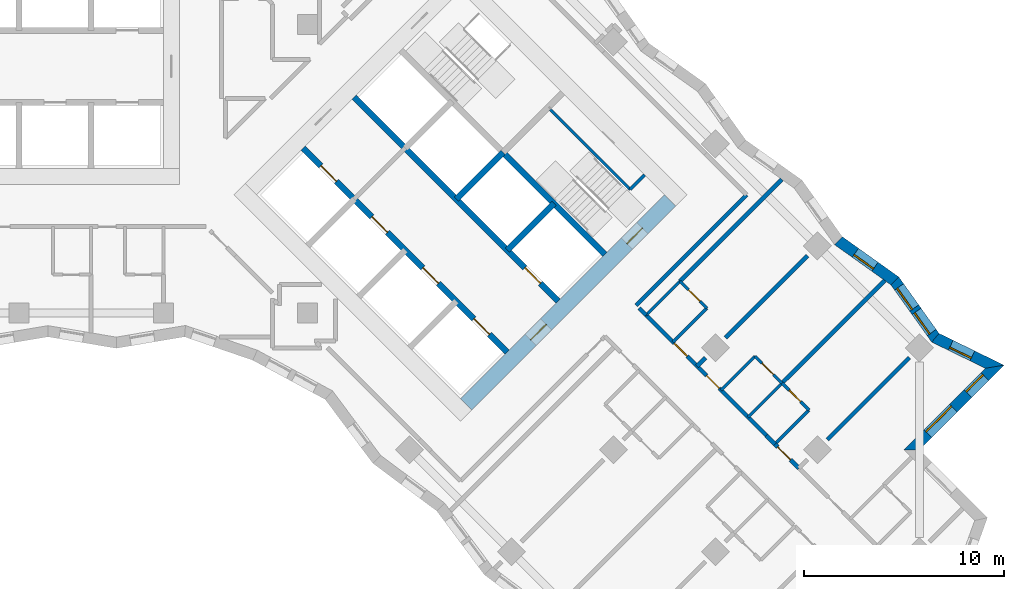
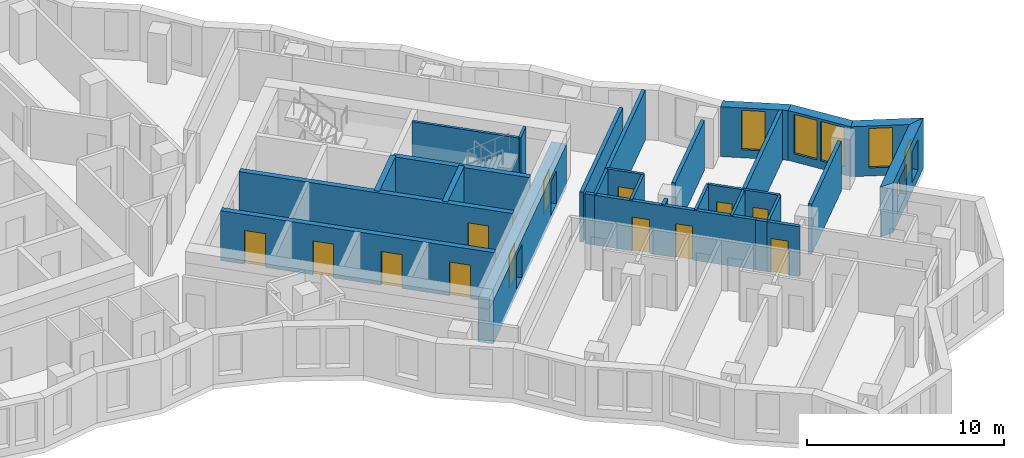
# One storey, part 10 of 13: 30 walls, 13 doors, 6 windows, 19 openings.
"""IFC4 building model written with IfcOpenShell, lengths in metres."""

from ifc_helpers import new_model, si_unit, direction, frame, frame_2d, origin, place, context, subcontext, project, spatial, polyline, rectangle, outline, extrude, material, layer, layer_set, type_object, element, fill, save


model = new_model("IFC4")

# Units and contexts
model_context = context("Model", 3, precision=1e-05, world=origin(), true_north=direction((0.0, 1.0)))
body_context = subcontext(model_context, "Body", "Model", "MODEL_VIEW")
ifc_project = project(units=[si_unit("LENGTHUNIT", "METRE"), si_unit("AREAUNIT", "SQUARE_METRE"), si_unit("VOLUMEUNIT", "CUBIC_METRE"), si_unit("PLANEANGLEUNIT", "RADIAN"), si_unit("MASSUNIT", "GRAM", prefix="KILO")], contexts=[model_context])

# Site, building, storey
site_placement = place(None, origin())
site = spatial("IfcSite", under=ifc_project, at=site_placement, CompositionType="ELEMENT")
building_placement = place(site_placement, origin())
building = spatial("IfcBuilding", under=site, at=building_placement, Name="Windrow Commons", CompositionType="ELEMENT")
storey_placement = place(building_placement, frame((0.0, 0.0, 111.8)))
storey = spatial("IfcBuildingStorey", under=building, at=storey_placement, Name="L30", CompositionType="ELEMENT", Elevation=111.8)

# Wall, openings, windows
ifc_material_1 = material(Name="Brick masonry, red clay brick", Category="masonry")
ifc_layer_1 = layer(ifc_material_1, 0.55)
ifc_layer_set_1 = layer_set([ifc_layer_1], Name="Brick facade wall 550")
wall_type_1 = type_object("IfcWallType", Name="Brick facade wall 550", PredefinedType="SOLIDWALL", material=ifc_layer_set_1)
wall_1_placement = place(storey_placement, frame((109.3581, 36.3618, 0.0), z_axis=(0.0, 0.0, 1.0), x_axis=(0.7071067812, 0.7071067812, 0.0)))
wall_1 = element("IfcWall", 1, at=wall_1_placement, inside=storey, type_object=wall_type_1, Name="Brick facade wall L30 6", PredefinedType="SOLIDWALL", context=body_context, shape_type="SweptSolid", body=[
    extrude(outline(polyline([(0.275, -0.275), (6.247, -0.275), (5.4766, 0.275), (-0.275, 0.275), (0.275, -0.275)])), origin(), (0.0, 0.0, 1.0), 3.1),
])
opening_1_placement = place(wall_1_placement, frame((1.1375, 0.0, 0.6)))
opening_1 = element("IfcOpeningElement", 2, at=opening_1_placement, cuts=wall_1, Name="Opening W1L", PredefinedType="OPENING", context=body_context, shape_type="SweptSolid", body=[
    extrude(rectangle(XDim=1.8, YDim=1.9, at=frame_2d((0.9, 0.95))), frame((0.0, 0.285, 0.0), z_axis=(0.0, -1.0, 0.0), x_axis=(1.0, 0.0, 0.0)), (0.0, 0.0, 1.0), 0.57),
])
opening_2_placement = place(wall_1_placement, frame((3.9758, 0.0, 0.6)))
opening_2 = element("IfcOpeningElement", 3, at=opening_2_placement, cuts=wall_1, Name="Opening W7G", PredefinedType="OPENING", context=body_context, shape_type="SweptSolid", body=[
    extrude(rectangle(XDim=1.2, YDim=1.9, at=frame_2d((0.6, 0.95))), frame((0.0, 0.285, 0.0), z_axis=(0.0, -1.0, 0.0), x_axis=(1.0, 0.0, 0.0)), (0.0, 0.0, 1.0), 0.57),
])
ifc_material_2 = material(Name="Clear float glass in anodised aluminium frame", Category="aluminium")
window_type_1 = type_object("IfcWindowType", Name="Window W1L bedroom 1800x1900", PartitioningType="SINGLE_PANEL", PredefinedType="WINDOW", material=ifc_material_2)
window_1_placement = place(opening_1_placement, origin())
window_1 = element("IfcWindow", 4, at=window_1_placement, inside=storey, type_object=window_type_1, Name="Window L30 6.1", OverallHeight=1.9, OverallWidth=1.8, PartitioningType="SINGLE_PANEL", PredefinedType="WINDOW", context=body_context, shape_type="SweptSolid", body=[
    extrude(rectangle(XDim=1.8, YDim=1.9, at=frame_2d((0.9, 0.95))), frame((0.0, 0.155, 0.0), z_axis=(0.0, -1.0, 0.0), x_axis=(1.0, 0.0, 0.0)), (0.0, 0.0, 1.0), 0.06),
])
fill(opening_1, window_1)
ifc_material_3 = material(Name="Clear float glass in anodised aluminium frame", Category="aluminium")
window_type_2 = type_object("IfcWindowType", Name="Window W7 notch 1200x1900", PartitioningType="SINGLE_PANEL", PredefinedType="WINDOW", material=ifc_material_3)
window_2_placement = place(opening_2_placement, origin())
window_2 = element("IfcWindow", 5, at=window_2_placement, inside=storey, type_object=window_type_2, Name="Window L30 6.2", OverallHeight=1.9, OverallWidth=1.2, PartitioningType="SINGLE_PANEL", PredefinedType="WINDOW", context=body_context, shape_type="SweptSolid", body=[
    extrude(rectangle(XDim=1.2, YDim=1.9, at=frame_2d((0.6, 0.95))), frame((0.0, 0.155, 0.0), z_axis=(0.0, -1.0, 0.0), x_axis=(1.0, 0.0, 0.0)), (0.0, 0.0, 1.0), 0.06),
])
fill(opening_2, window_2)

# Wall, opening, window
wall_2_placement = place(storey_placement, frame((113.503, 40.5067, 0.0), z_axis=(0.0, 0.0, 1.0), x_axis=(-0.8984293541, 0.4391180887, 0.0)))
wall_2 = element("IfcWall", 6, at=wall_2_placement, inside=storey, type_object=wall_type_1, Name="Brick facade wall L30 7", PredefinedType="SOLIDWALL", context=body_context, shape_type="SweptSolid", body=[
    extrude(outline(polyline([(-0.3852, -0.275), (3.2235, -0.275), (3.363, 0.275), (0.3852, 0.275), (-0.3852, -0.275)])), origin(), (0.0, 0.0, 1.0), 3.1),
])
opening_3_placement = place(wall_2_placement, frame((1.2392, 0.0, 0.5)))
opening_3 = element("IfcOpeningElement", 7, at=opening_3_placement, cuts=wall_2, Name="Opening W7D", PredefinedType="OPENING", context=body_context, shape_type="SweptSolid", body=[
    extrude(rectangle(XDim=1.2, YDim=2.45, at=frame_2d((0.6, 1.225))), frame((0.0, 0.285, 0.0), z_axis=(0.0, -1.0, 0.0), x_axis=(1.0, 0.0, 0.0)), (0.0, 0.0, 1.0), 0.57),
])
ifc_material_4 = material(Name="Clear float glass in anodised aluminium frame", Category="aluminium")
window_type_3 = type_object("IfcWindowType", Name="Window W7 notch 1200x2450", PartitioningType="SINGLE_PANEL", PredefinedType="WINDOW", material=ifc_material_4)
window_3_placement = place(opening_3_placement, origin())
window_3 = element("IfcWindow", 8, at=window_3_placement, inside=storey, type_object=window_type_3, Name="Window L30 7.1", OverallHeight=2.45, OverallWidth=1.2, PartitioningType="SINGLE_PANEL", PredefinedType="WINDOW", context=body_context, shape_type="SweptSolid", body=[
    extrude(rectangle(XDim=1.2, YDim=2.45, at=frame_2d((0.6, 1.225))), frame((0.0, 0.155, 0.0), z_axis=(0.0, -1.0, 0.0), x_axis=(1.0, 0.0, 0.0)), (0.0, 0.0, 1.0), 0.06),
])
fill(opening_3, window_3)

# Wall, openings, windows
wall_3_placement = place(storey_placement, frame((110.5443, 41.9528, 0.0), z_axis=(0.0, 0.0, 1.0), x_axis=(-0.5805022438, 0.8142586474, 0.0)))
wall_3 = element("IfcWall", 9, at=wall_3_placement, inside=storey, type_object=wall_type_1, Name="Brick facade wall L30 8", PredefinedType="SOLIDWALL", context=body_context, shape_type="SweptSolid", body=[
    extrude(outline(polyline([(0.0698, -0.275), (3.5304, -0.275), (3.4382, 0.275), (-0.0698, 0.275), (0.0698, -0.275)])), origin(), (0.0, 0.0, 1.0), 3.1),
])
opening_4_placement = place(wall_3_placement, frame((0.3191, 0.0, 0.5)))
opening_4 = element("IfcOpeningElement", 10, at=opening_4_placement, cuts=wall_3, Name="Opening W1P", PredefinedType="OPENING", context=body_context, shape_type="SweptSolid", body=[
    extrude(rectangle(XDim=1.3, YDim=2.45, at=frame_2d((0.65, 1.225))), frame((0.0, 0.285, 0.0), z_axis=(0.0, -1.0, 0.0), x_axis=(1.0, 0.0, 0.0)), (0.0, 0.0, 1.0), 0.57),
])
opening_5_placement = place(wall_3_placement, frame((1.8191, 0.0, 0.5)))
opening_5 = element("IfcOpeningElement", 11, at=opening_5_placement, cuts=wall_3, Name="Opening W1P", PredefinedType="OPENING", context=body_context, shape_type="SweptSolid", body=[
    extrude(rectangle(XDim=1.3, YDim=2.45, at=frame_2d((0.65, 1.225))), frame((0.0, 0.285, 0.0), z_axis=(0.0, -1.0, 0.0), x_axis=(1.0, 0.0, 0.0)), (0.0, 0.0, 1.0), 0.57),
])
ifc_material_5 = material(Name="Clear float glass in anodised aluminium frame", Category="aluminium")
window_type_4 = type_object("IfcWindowType", Name="Window W1P pair 1300x2450", PartitioningType="SINGLE_PANEL", PredefinedType="WINDOW", material=ifc_material_5)
window_4_placement = place(opening_4_placement, origin())
window_4 = element("IfcWindow", 12, at=window_4_placement, inside=storey, type_object=window_type_4, Name="Window L30 8.1A", OverallHeight=2.45, OverallWidth=1.3, PartitioningType="SINGLE_PANEL", PredefinedType="WINDOW", context=body_context, shape_type="SweptSolid", body=[
    extrude(rectangle(XDim=1.3, YDim=2.45, at=frame_2d((0.65, 1.225))), frame((0.0, 0.155, 0.0), z_axis=(0.0, -1.0, 0.0), x_axis=(1.0, 0.0, 0.0)), (0.0, 0.0, 1.0), 0.06),
])
fill(opening_4, window_4)
window_5_placement = place(opening_5_placement, origin())
window_5 = element("IfcWindow", 13, at=window_5_placement, inside=storey, type_object=window_type_4, Name="Window L30 8.1B", OverallHeight=2.45, OverallWidth=1.3, PartitioningType="SINGLE_PANEL", PredefinedType="WINDOW", context=body_context, shape_type="SweptSolid", body=[
    extrude(rectangle(XDim=1.3, YDim=2.45, at=frame_2d((0.65, 1.225))), frame((0.0, 0.155, 0.0), z_axis=(0.0, -1.0, 0.0), x_axis=(1.0, 0.0, 0.0)), (0.0, 0.0, 1.0), 0.06),
])
fill(opening_5, window_5)

# Wall, opening, window
wall_4_placement = place(storey_placement, frame((108.5216, 44.79, 0.0), z_axis=(0.0, 0.0, 1.0), x_axis=(-0.8142544581, 0.5805081201, 0.0)))
wall_4 = element("IfcWall", 14, at=wall_4_placement, inside=storey, type_object=wall_type_1, Name="Brick facade wall L30 9", PredefinedType="SOLIDWALL", context=body_context, shape_type="SweptSolid", body=[
    extrude(outline(polyline([(-0.0461, -0.275), (3.4145, -0.275), (3.5067, 0.275), (0.0461, 0.275), (-0.0461, -0.275)])), origin(), (0.0, 0.0, 1.0), 3.1),
])
opening_6_placement = place(wall_4_placement, frame((1.2199, 0.0, 0.5)))
opening_6 = element("IfcOpeningElement", 15, at=opening_6_placement, cuts=wall_4, Name="Opening W7D", PredefinedType="OPENING", context=body_context, shape_type="SweptSolid", body=[
    extrude(rectangle(XDim=1.2, YDim=2.45, at=frame_2d((0.6, 1.225))), frame((0.0, 0.285, 0.0), z_axis=(0.0, -1.0, 0.0), x_axis=(1.0, 0.0, 0.0)), (0.0, 0.0, 1.0), 0.57),
])
window_6_placement = place(opening_6_placement, origin())
window_6 = element("IfcWindow", 16, at=window_6_placement, inside=storey, type_object=window_type_3, Name="Window L30 9.1", OverallHeight=2.45, OverallWidth=1.2, PartitioningType="SINGLE_PANEL", PredefinedType="WINDOW", context=body_context, shape_type="SweptSolid", body=[
    extrude(rectangle(XDim=1.2, YDim=2.45, at=frame_2d((0.6, 1.225))), frame((0.0, 0.155, 0.0), z_axis=(0.0, -1.0, 0.0), x_axis=(1.0, 0.0, 0.0)), (0.0, 0.0, 1.0), 0.06),
])
fill(opening_6, window_6)

# Wall, openings, doors
ifc_material_6 = material(Name="Blockwork partition", Category="masonry")
ifc_layer_2 = layer(ifc_material_6, 0.2)
ifc_layer_set_2 = layer_set([ifc_layer_2], Name="IW-CORRIDOR-200")
wall_type_2 = type_object("IfcWallType", Name="IW-CORRIDOR-200", PredefinedType="PARTITIONING", material=ifc_layer_set_2)
wall_5_placement = place(storey_placement, frame((96.1034, 43.0834, 0.0), z_axis=(0.0, 0.0, 1.0), x_axis=(0.7071067812, -0.7071067812, 0.0)))
wall_5 = element("IfcWall", 17, at=wall_5_placement, inside=storey, type_object=wall_type_2, Name="W-L30-W015", PredefinedType="PARTITIONING", context=body_context, shape_type="SweptSolid", body=[
    extrude(rectangle(XDim=8.4909, YDim=0.2, at=frame_2d((4.2454, 0.0))), origin(), (0.0, 0.0, 1.0), 3.1),
])
opening_7_placement = place(wall_5_placement, frame((1.9952, 0.0, 0.0)))
opening_7 = element("IfcOpeningElement", 18, at=opening_7_placement, cuts=wall_5, Name="Opening D109S", PredefinedType="OPENING", context=body_context, shape_type="SweptSolid", body=[
    extrude(rectangle(XDim=0.9, YDim=2.1, at=frame_2d((0.45, 1.05))), frame((0.0, 0.11, 0.0), z_axis=(0.0, -1.0, 0.0), x_axis=(1.0, 0.0, 0.0)), (0.0, 0.0, 1.0), 0.22),
])
opening_8_placement = place(wall_5_placement, frame((4.2704, 0.0, 0.0)))
opening_8 = element("IfcOpeningElement", 19, at=opening_8_placement, cuts=wall_5, Name="Opening D109S", PredefinedType="OPENING", context=body_context, shape_type="SweptSolid", body=[
    extrude(rectangle(XDim=0.9, YDim=2.1, at=frame_2d((0.45, 1.05))), frame((0.0, 0.11, 0.0), z_axis=(0.0, -1.0, 0.0), x_axis=(1.0, 0.0, 0.0)), (0.0, 0.0, 1.0), 0.22),
])
ifc_material_7 = material(Name="Timber door leaf", Category="wood")
door_type_1 = type_object("IfcDoorType", Name="DT-BEDROOM-900", OperationType="SINGLE_SWING_LEFT", PredefinedType="DOOR", material=ifc_material_7)
door_1_placement = place(opening_7_placement, origin())
door_1 = element("IfcDoor", 20, at=door_1_placement, inside=storey, type_object=door_type_1, Name="D-L30-D048", OperationType="SINGLE_SWING_RIGHT", OverallHeight=2.1, OverallWidth=0.9, PredefinedType="DOOR", context=body_context, shape_type="SweptSolid", body=[
    extrude(rectangle(XDim=0.9, YDim=2.1, at=frame_2d((0.45, 1.05))), frame((0.0, 0.025, 0.0), z_axis=(0.0, -1.0, 0.0), x_axis=(1.0, 0.0, 0.0)), (0.0, 0.0, 1.0), 0.05),
])
fill(opening_7, door_1)
door_2_placement = place(opening_8_placement, origin())
door_2 = element("IfcDoor", 21, at=door_2_placement, inside=storey, type_object=door_type_1, Name="D-L30-D050", OperationType="SINGLE_SWING_LEFT", OverallHeight=2.1, OverallWidth=0.9, PredefinedType="DOOR", context=body_context, shape_type="SweptSolid", body=[
    extrude(rectangle(XDim=0.9, YDim=2.1, at=frame_2d((0.45, 1.05))), frame((0.0, 0.025, 0.0), z_axis=(0.0, -1.0, 0.0), x_axis=(1.0, 0.0, 0.0)), (0.0, 0.0, 1.0), 0.05),
])
fill(opening_8, door_2)

# Wall
wall_6_placement = place(storey_placement, frame((95.6055, 43.5765, 0.0), z_axis=(0.0, 0.0, 1.0), x_axis=(0.7071067812, 0.7071067812, 0.0)))
element("IfcWall", 22, at=wall_6_placement, inside=storey, type_object=wall_type_2, Name="W-L30-W017", PredefinedType="PARTITIONING", context=body_context, shape_type="SweptSolid", body=[
    extrude(rectangle(XDim=7.798, YDim=0.2, at=frame_2d((3.899, 0.0))), origin(), (0.0, 0.0, 1.0), 3.1),
])

# Wall, opening, door
wall_7_placement = place(storey_placement, frame((102.5314, 36.6414, 0.0), z_axis=(0.0, 0.0, 1.0), x_axis=(0.7071067812, -0.7071067812, 0.0)))
wall_7 = element("IfcWall", 23, at=wall_7_placement, inside=storey, type_object=wall_type_2, Name="W-L30-W159", PredefinedType="PARTITIONING", context=body_context, shape_type="SweptSolid", body=[
    extrude(rectangle(XDim=1.6999, YDim=0.2, at=frame_2d((0.8499, 0.0))), origin(), (0.0, 0.0, 1.0), 3.1),
])
opening_9_placement = place(wall_7_placement, frame((0.1977, 0.0, 0.0)))
opening_9 = element("IfcOpeningElement", 24, at=opening_9_placement, cuts=wall_7, Name="Opening D109S", PredefinedType="OPENING", context=body_context, shape_type="SweptSolid", body=[
    extrude(rectangle(XDim=0.9, YDim=2.1, at=frame_2d((0.45, 1.05))), frame((0.0, 0.11, 0.0), z_axis=(0.0, -1.0, 0.0), x_axis=(1.0, 0.0, 0.0)), (0.0, 0.0, 1.0), 0.22),
])
door_3_placement = place(opening_9_placement, origin())
door_3 = element("IfcDoor", 25, at=door_3_placement, inside=storey, type_object=door_type_1, Name="D-L30-D052", OperationType="SINGLE_SWING_RIGHT", OverallHeight=2.1, OverallWidth=0.9, PredefinedType="DOOR", context=body_context, shape_type="SweptSolid", body=[
    extrude(rectangle(XDim=0.9, YDim=2.1, at=frame_2d((0.45, 1.05))), frame((0.0, 0.025, 0.0), z_axis=(0.0, -1.0, 0.0), x_axis=(1.0, 0.0, 0.0)), (0.0, 0.0, 1.0), 0.05),
])
fill(opening_9, door_3)

# Walls
wall_8_placement = place(storey_placement, frame((102.1029, 37.0749, 0.0), z_axis=(0.0, 0.0, 1.0), x_axis=(0.7054642634, -0.7087454925, 0.0)))
element("IfcWall", 26, at=wall_8_placement, inside=storey, type_object=wall_type_2, Name="W-L30-W185", PredefinedType="PARTITIONING", context=body_context, shape_type="SweptSolid", body=[
    extrude(rectangle(XDim=0.6095, YDim=0.2, at=frame_2d((0.3048, 0.0))), origin(), (0.0, 0.0, 1.0), 3.1),
])
wall_9_placement = place(storey_placement, frame((95.747, 43.433, 0.0), z_axis=(0.0, 0.0, 1.0), x_axis=(0.7091070712, -0.7051008166, 0.0)))
element("IfcWall", 27, at=wall_9_placement, inside=storey, type_object=wall_type_2, Name="W-L30-W200", PredefinedType="PARTITIONING", context=body_context, shape_type="SweptSolid", body=[
    extrude(rectangle(XDim=0.4992, YDim=0.2, at=frame_2d((0.2496, 0.0))), origin(), (0.0, 0.0, 1.0), 3.1),
])
ifc_material_8 = material(Name="Blockwork partition", Category="masonry")
ifc_layer_3 = layer(ifc_material_8, 0.15)
ifc_layer_set_3 = layer_set([ifc_layer_3], Name="IW-ENSUITE-150")
wall_type_3 = type_object("IfcWallType", Name="IW-ENSUITE-150", PredefinedType="PARTITIONING", material=ifc_layer_set_3)
wall_10_placement = place(storey_placement, frame((102.5331, 36.6449, 0.0), z_axis=(0.0, 0.0, 1.0), x_axis=(0.7071067812, 0.7071067812, 0.0)))
element("IfcWall", 28, at=wall_10_placement, inside=storey, type_object=wall_type_3, Name="W-L30-W085", PredefinedType="PARTITIONING", context=body_context, shape_type="SweptSolid", body=[
    extrude(rectangle(XDim=2.4013, YDim=0.15, at=frame_2d((1.2006, 0.0))), origin(), (0.0, 0.0, 1.0), 3.1),
])
wall_11_placement = place(storey_placement, frame((101.192, 37.988, 0.0), z_axis=(0.0, 0.0, 1.0), x_axis=(0.706689978, 0.7075233388, 0.0)))
element("IfcWall", 29, at=wall_11_placement, inside=storey, type_object=wall_type_3, Name="W-L30-W113", PredefinedType="PARTITIONING", context=body_context, shape_type="SweptSolid", body=[
    extrude(rectangle(XDim=2.3999, YDim=0.15, at=frame_2d((1.2, 0.0))), origin(), (0.0, 0.0, 1.0), 3.1),
])
for number, where, z_axis, x_axis, name in (
    (30, (97.4429, 41.7371, 0.0), (0.0, 0.0, 1.0), (0.7071067812, 0.7071067812, 0.0), "W-L30-W119"),
    (31, (96.0994, 43.0806, 0.0), (0.0, 0.0, 1.0), (0.7071067812, 0.7071067812, 0.0), "W-L30-W121"),
    (32, (99.8471, 39.3329, 0.0), (0.0, 0.0, 1.0), (0.7071067812, 0.7071067812, 0.0), "W-L30-W124"),
):
    element("IfcWall", number, at=place(storey_placement, frame(where, z_axis=z_axis, x_axis=x_axis)), inside=storey, type_object=wall_type_3, Name=name, PredefinedType="PARTITIONING", context=body_context, shape_type="SweptSolid", body=[
        extrude(rectangle(XDim=2.3985, YDim=0.15, at=frame_2d((1.1992, 0.0))), origin(), (0.0, 0.0, 1.0), 3.1),
    ])

# Wall, opening, door
wall_12_placement = place(storey_placement, frame((97.7934, 44.7734, 0.0), z_axis=(0.0, 0.0, 1.0), x_axis=(0.7071067812, -0.7071067812, 0.0)))
wall_12 = element("IfcWall", 33, at=wall_12_placement, inside=storey, type_object=wall_type_3, Name="W-L30-W138", PredefinedType="PARTITIONING", context=body_context, shape_type="SweptSolid", body=[
    extrude(rectangle(XDim=1.9007, YDim=0.15, at=frame_2d((0.9504, 0.0))), origin(), (0.0, 0.0, 1.0), 3.1),
])
opening_10_placement = place(wall_12_placement, frame((0.6091, 0.0, 0.0)))
opening_10 = element("IfcOpeningElement", 34, at=opening_10_placement, cuts=wall_12, Name="Opening D208N", PredefinedType="OPENING", context=body_context, shape_type="SweptSolid", body=[
    extrude(rectangle(XDim=0.8, YDim=2.1, at=frame_2d((0.4, 1.05))), frame((0.0, 0.085, 0.0), z_axis=(0.0, -1.0, 0.0), x_axis=(1.0, 0.0, 0.0)), (0.0, 0.0, 1.0), 0.17),
])
ifc_material_9 = material(Name="Timber door leaf", Category="wood")
door_type_2 = type_object("IfcDoorType", Name="DT-ENSUITE-800", OperationType="SINGLE_SWING_LEFT", PredefinedType="DOOR", material=ifc_material_9)
door_4_placement = place(opening_10_placement, origin())
door_4 = element("IfcDoor", 35, at=door_4_placement, inside=storey, type_object=door_type_2, Name="D-L30-D049", OperationType="SINGLE_SWING_RIGHT", OverallHeight=2.1, OverallWidth=0.8, PredefinedType="DOOR", context=body_context, shape_type="SweptSolid", body=[
    extrude(rectangle(XDim=0.8, YDim=2.1, at=frame_2d((0.4, 1.05))), frame((0.0, 0.025, 0.0), z_axis=(0.0, -1.0, 0.0), x_axis=(1.0, 0.0, 0.0)), (0.0, 0.0, 1.0), 0.05),
])
fill(opening_10, door_4)

wall_13_placement = place(storey_placement, frame((102.8915, 39.6895, 0.0), z_axis=(0.0, 0.0, 1.0), x_axis=(0.7071067812, -0.7071067812, 0.0)))
wall_13 = element("IfcWall", 36, at=wall_13_placement, inside=storey, type_object=wall_type_3, Name="W-L30-W139", PredefinedType="PARTITIONING", context=body_context, shape_type="SweptSolid", body=[
    extrude(rectangle(XDim=1.9007, YDim=0.15, at=frame_2d((0.9504, 0.0))), origin(), (0.0, 0.0, 1.0), 3.1),
])
opening_11_placement = place(wall_13_placement, frame((0.5055, 0.0, 0.0)))
opening_11 = element("IfcOpeningElement", 37, at=opening_11_placement, cuts=wall_13, Name="Opening D208N", PredefinedType="OPENING", context=body_context, shape_type="SweptSolid", body=[
    extrude(rectangle(XDim=0.8, YDim=2.1, at=frame_2d((0.4, 1.05))), frame((0.0, 0.085, 0.0), z_axis=(0.0, -1.0, 0.0), x_axis=(1.0, 0.0, 0.0)), (0.0, 0.0, 1.0), 0.17),
])
door_5_placement = place(opening_11_placement, origin())
door_5 = element("IfcDoor", 38, at=door_5_placement, inside=storey, type_object=door_type_2, Name="D-L30-D053", OperationType="SINGLE_SWING_RIGHT", OverallHeight=2.1, OverallWidth=0.8, PredefinedType="DOOR", context=body_context, shape_type="SweptSolid", body=[
    extrude(rectangle(XDim=0.8, YDim=2.1, at=frame_2d((0.4, 1.05))), frame((0.0, 0.025, 0.0), z_axis=(0.0, -1.0, 0.0), x_axis=(1.0, 0.0, 0.0)), (0.0, 0.0, 1.0), 0.05),
])
fill(opening_11, door_5)

wall_14_placement = place(storey_placement, frame((101.5428, 41.0268, 0.0), z_axis=(0.0, 0.0, 1.0), x_axis=(0.7076330979, -0.7065800724, 0.0)))
wall_14 = element("IfcWall", 39, at=wall_14_placement, inside=storey, type_object=wall_type_3, Name="W-L30-W153", PredefinedType="PARTITIONING", context=body_context, shape_type="SweptSolid", body=[
    extrude(rectangle(XDim=1.8993, YDim=0.15, at=frame_2d((0.9496, 0.0))), origin(), (0.0, 0.0, 1.0), 3.1),
])
opening_12_placement = place(wall_14_placement, frame((0.493, 0.0, 0.0)))
opening_12 = element("IfcOpeningElement", 40, at=opening_12_placement, cuts=wall_14, Name="Opening D208N", PredefinedType="OPENING", context=body_context, shape_type="SweptSolid", body=[
    extrude(rectangle(XDim=0.8, YDim=2.1, at=frame_2d((0.4, 1.05))), frame((0.0, 0.085, 0.0), z_axis=(0.0, -1.0, 0.0), x_axis=(1.0, 0.0, 0.0)), (0.0, 0.0, 1.0), 0.17),
])
door_6_placement = place(opening_12_placement, origin())
door_6 = element("IfcDoor", 41, at=door_6_placement, inside=storey, type_object=door_type_2, Name="D-L30-D051", OperationType="SINGLE_SWING_RIGHT", OverallHeight=2.1, OverallWidth=0.8, PredefinedType="DOOR", context=body_context, shape_type="SweptSolid", body=[
    extrude(rectangle(XDim=0.8, YDim=2.1, at=frame_2d((0.4, 1.05))), frame((0.0, 0.025, 0.0), z_axis=(0.0, -1.0, 0.0), x_axis=(1.0, 0.0, 0.0)), (0.0, 0.0, 1.0), 0.05),
])
fill(opening_12, door_6)

# Walls
ifc_material_10 = material(Name="Blockwork partition", Category="masonry")
ifc_layer_4 = layer(ifc_material_10, 0.2)
ifc_layer_set_4 = layer_set([ifc_layer_4], Name="IW-PARTY-200")
wall_type_4 = type_object("IfcWallType", Name="IW-PARTY-200", PredefinedType="PARTITIONING", material=ifc_layer_set_4)
wall_15_placement = place(storey_placement, frame((102.8875, 39.6865, 0.0), z_axis=(0.0, 0.0, 1.0), x_axis=(0.7072515706, 0.7069619621, 0.0)))
element("IfcWall", 42, at=wall_15_placement, inside=storey, type_object=wall_type_4, Name="W-L30-W018", PredefinedType="PARTITIONING", context=body_context, shape_type="SweptSolid", body=[
    extrude(rectangle(XDim=7.2512, YDim=0.2, at=frame_2d((3.6256, 0.0))), origin(), (0.0, 0.0, 1.0), 3.1),
])
wall_16_placement = place(storey_placement, frame((97.7954, 44.7766, 0.0), z_axis=(0.0, 0.0, 1.0), x_axis=(0.7071137356, 0.7070998267, 0.0)))
element("IfcWall", 43, at=wall_16_placement, inside=storey, type_object=wall_type_4, Name="W-L30-W022", PredefinedType="PARTITIONING", context=body_context, shape_type="SweptSolid", body=[
    extrude(rectangle(XDim=7.1896, YDim=0.2, at=frame_2d((3.5948, 0.0))), origin(), (0.0, 0.0, 1.0), 3.1),
])
for number, where, z_axis, x_axis, name in (
    (44, (105.1552, 36.8628, 0.0), (0.0, 0.0, 1.0), (0.7071067812, 0.7071067812, 0.0), "W-L30-W033"),
    (45, (100.063, 41.953, 0.0), (0.0, 0.0, 1.0), (0.7071067812, 0.7071067812, 0.0), "W-L30-W035"),
):
    element("IfcWall", number, at=place(storey_placement, frame(where, z_axis=z_axis, x_axis=x_axis)), inside=storey, type_object=wall_type_4, Name=name, PredefinedType="PARTITIONING", context=body_context, shape_type="SweptSolid", body=[
        extrude(rectangle(XDim=5.787, YDim=0.2, at=frame_2d((2.8935, 0.0))), origin(), (0.0, 0.0, 1.0), 3.1),
    ])
wall_17_placement = place(storey_placement, frame((98.645, 40.535, 0.0), z_axis=(0.0, 0.0, 1.0), x_axis=(0.7071067812, 0.7071067812, 0.0)))
element("IfcWall", 46, at=wall_17_placement, inside=storey, type_object=wall_type_4, Name="W-L30-W190", PredefinedType="PARTITIONING", context=body_context, shape_type="SweptSolid", body=[
    extrude(rectangle(XDim=0.594, YDim=0.2, at=frame_2d((0.297, 0.0))), origin(), (0.0, 0.0, 1.0), 3.1),
])

# Wall, openings, doors
ifc_material_11 = material(Name="Concrete C50/60", Category="concrete")
ifc_layer_5 = layer(ifc_material_11, 0.8)
ifc_layer_set_5 = layer_set([ifc_layer_5], Name="RC CORE WALL 800 C50/60")
wall_type_5 = type_object("IfcWallType", Name="RC CORE WALL 800 C50/60", PredefinedType="SHEAR", material=ifc_layer_set_5)
wall_18_placement = place(storey_placement, frame((87.1196, 38.6246, -0.3), z_axis=(0.0, 0.0, 1.0), x_axis=(0.7071067812, 0.7071067812, 0.0)))
wall_18 = element("IfcWall", 47, at=wall_18_placement, inside=storey, type_object=wall_type_5, Name="Core B wall outer-E", PredefinedType="SHEAR", context=body_context, shape_type="SweptSolid", body=[
    extrude(rectangle(XDim=14.3999, YDim=0.8, at=frame_2d((7.2, 0.0))), origin(), (0.0, 0.0, 1.0), 2.7),
])
opening_13_placement = place(wall_18_placement, frame((4.55, 0.0, 0.3)))
opening_13 = element("IfcOpeningElement", 48, at=opening_13_placement, cuts=wall_18, Name="Opening D6", PredefinedType="OPENING", context=body_context, shape_type="SweptSolid", body=[
    extrude(rectangle(XDim=1.1, YDim=2.1, at=frame_2d((0.55, 1.05))), frame((0.0, 0.41, 0.0), z_axis=(0.0, -1.0, 0.0), x_axis=(1.0, 0.0, 0.0)), (0.0, 0.0, 1.0), 0.82),
])
opening_14_placement = place(wall_18_placement, frame((11.35, 0.0, 0.3)))
opening_14 = element("IfcOpeningElement", 49, at=opening_14_placement, cuts=wall_18, Name="Opening D7", PredefinedType="OPENING", context=body_context, shape_type="SweptSolid", body=[
    extrude(rectangle(XDim=1.1, YDim=2.1, at=frame_2d((0.55, 1.05))), frame((0.0, 0.41, 0.0), z_axis=(0.0, -1.0, 0.0), x_axis=(1.0, 0.0, 0.0)), (0.0, 0.0, 1.0), 0.82),
])
ifc_material_12 = material(Name="Steel fire door leaf", Category="steel")
door_type_3 = type_object("IfcDoorType", Name="Core lobby door 1100", OperationType="SINGLE_SWING_LEFT", PredefinedType="DOOR", material=ifc_material_12)
door_7_placement = place(opening_13_placement, origin())
door_7 = element("IfcDoor", 50, at=door_7_placement, inside=storey, type_object=door_type_3, Name="Lift lobby door", OperationType="DOUBLE_DOOR_SINGLE_SWING", OverallHeight=2.1, OverallWidth=1.1, PredefinedType="DOOR", context=body_context, shape_type="SweptSolid", body=[
    extrude(rectangle(XDim=1.1, YDim=2.1, at=frame_2d((0.55, 1.05))), frame((0.0, 0.025, 0.0), z_axis=(0.0, -1.0, 0.0), x_axis=(1.0, 0.0, 0.0)), (0.0, 0.0, 1.0), 0.05),
])
fill(opening_13, door_7)
ifc_material_13 = material(Name="Steel fire door leaf", Category="steel")
door_type_4 = type_object("IfcDoorType", Name="Stair door 1100", OperationType="SINGLE_SWING_LEFT", PredefinedType="DOOR", material=ifc_material_13)
door_8_placement = place(opening_14_placement, origin())
door_8 = element("IfcDoor", 51, at=door_8_placement, inside=storey, type_object=door_type_4, Name="Stair door", OperationType="SINGLE_SWING_RIGHT", OverallHeight=2.1, OverallWidth=1.1, PredefinedType="DOOR", context=body_context, shape_type="SweptSolid", body=[
    extrude(rectangle(XDim=1.1, YDim=2.1, at=frame_2d((0.55, 1.05))), frame((0.0, 0.025, 0.0), z_axis=(0.0, -1.0, 0.0), x_axis=(1.0, 0.0, 0.0)), (0.0, 0.0, 1.0), 0.05),
])
fill(opening_14, door_8)

# Walls
ifc_material_14 = material(Name="Concrete C50/60", Category="concrete")
ifc_layer_6 = layer(ifc_material_14, 0.3)
ifc_layer_set_6 = layer_set([ifc_layer_6], Name="RC SHAFT WALL 300 C50/60")
wall_type_6 = type_object("IfcWallType", Name="RC SHAFT WALL 300 C50/60", PredefinedType="SOLIDWALL", material=ifc_layer_set_6)
for number, where, z_axis, x_axis, name in (
    (52, (86.6246, 48.8776, 0.0), (0.0, 0.0, 1.0), (0.7071067812, 0.7071067812, 0.0), "Core B wall shaft-N2"),
    (53, (89.1702, 46.332, 0.0), (0.0, 0.0, 1.0), (0.7071067812, 0.7071067812, 0.0), "Core B wall shaft-N3"),
):
    element("IfcWall", number, at=place(storey_placement, frame(where, z_axis=z_axis, x_axis=x_axis)), inside=storey, type_object=wall_type_6, Name=name, PredefinedType="SOLIDWALL", context=body_context, shape_type="SweptSolid", body=[
        extrude(rectangle(XDim=3.3001, YDim=0.3, at=frame_2d((1.6501, 0.0))), origin(), (0.0, 0.0, 1.0), 3.1),
    ])

# Wall, openings, doors
wall_19_placement = place(storey_placement, frame((78.9879, 51.4232, 0.0), z_axis=(0.0, 0.0, 1.0), x_axis=(0.7071067812, -0.7071067812, 0.0)))
wall_19 = element("IfcWall", 54, at=wall_19_placement, inside=storey, type_object=wall_type_6, Name="Core B wall lobby-S", PredefinedType="SOLIDWALL", context=body_context, shape_type="SweptSolid", body=[
    extrude(rectangle(XDim=14.3999, YDim=0.3, at=frame_2d((7.2, 0.0))), origin(), (0.0, 0.0, 1.0), 3.1),
])
opening_15_placement = place(wall_19_placement, frame((1.25, 0.0, 0.0)))
opening_15 = element("IfcOpeningElement", 55, at=opening_15_placement, cuts=wall_19, Name="Opening LD", PredefinedType="OPENING", context=body_context, shape_type="SweptSolid", body=[
    extrude(rectangle(XDim=1.1, YDim=2.1, at=frame_2d((0.55, 1.05))), frame((0.0, 0.16, 0.0), z_axis=(0.0, -1.0, 0.0), x_axis=(1.0, 0.0, 0.0)), (0.0, 0.0, 1.0), 0.32),
])
opening_16_placement = place(wall_19_placement, frame((4.85, 0.0, 0.0)))
opening_16 = element("IfcOpeningElement", 56, at=opening_16_placement, cuts=wall_19, Name="Opening LD", PredefinedType="OPENING", context=body_context, shape_type="SweptSolid", body=[
    extrude(rectangle(XDim=1.1, YDim=2.1, at=frame_2d((0.55, 1.05))), frame((0.0, 0.16, 0.0), z_axis=(0.0, -1.0, 0.0), x_axis=(1.0, 0.0, 0.0)), (0.0, 0.0, 1.0), 0.32),
])
opening_17_placement = place(wall_19_placement, frame((8.45, 0.0, 0.0)))
opening_17 = element("IfcOpeningElement", 57, at=opening_17_placement, cuts=wall_19, Name="Opening LD", PredefinedType="OPENING", context=body_context, shape_type="SweptSolid", body=[
    extrude(rectangle(XDim=1.1, YDim=2.1, at=frame_2d((0.55, 1.05))), frame((0.0, 0.16, 0.0), z_axis=(0.0, -1.0, 0.0), x_axis=(1.0, 0.0, 0.0)), (0.0, 0.0, 1.0), 0.32),
])
opening_18_placement = place(wall_19_placement, frame((12.05, 0.0, 0.0)))
opening_18 = element("IfcOpeningElement", 58, at=opening_18_placement, cuts=wall_19, Name="Opening LD", PredefinedType="OPENING", context=body_context, shape_type="SweptSolid", body=[
    extrude(rectangle(XDim=1.1, YDim=2.1, at=frame_2d((0.55, 1.05))), frame((0.0, 0.16, 0.0), z_axis=(0.0, -1.0, 0.0), x_axis=(1.0, 0.0, 0.0)), (0.0, 0.0, 1.0), 0.32),
])
ifc_material_15 = material(Name="Stainless steel door leaf", Category="steel")
door_type_5 = type_object("IfcDoorType", Name="Lift landing door 1100", OperationType="SLIDING_TO_LEFT", PredefinedType="DOOR", material=ifc_material_15)
door_9_placement = place(opening_15_placement, origin())
door_9 = element("IfcDoor", 59, at=door_9_placement, inside=storey, type_object=door_type_5, Name="Lift landing door", OperationType="SLIDING_TO_LEFT", OverallHeight=2.1, OverallWidth=1.1, PredefinedType="DOOR", context=body_context, shape_type="SweptSolid", body=[
    extrude(rectangle(XDim=1.1, YDim=2.1, at=frame_2d((0.55, 1.05))), frame((0.0, 0.025, 0.0), z_axis=(0.0, -1.0, 0.0), x_axis=(1.0, 0.0, 0.0)), (0.0, 0.0, 1.0), 0.05),
])
fill(opening_15, door_9)
door_10_placement = place(opening_16_placement, origin())
door_10 = element("IfcDoor", 60, at=door_10_placement, inside=storey, type_object=door_type_5, Name="Lift landing door", OperationType="SLIDING_TO_RIGHT", OverallHeight=2.1, OverallWidth=1.1, PredefinedType="DOOR", context=body_context, shape_type="SweptSolid", body=[
    extrude(rectangle(XDim=1.1, YDim=2.1, at=frame_2d((0.55, 1.05))), frame((0.0, 0.025, 0.0), z_axis=(0.0, -1.0, 0.0), x_axis=(1.0, 0.0, 0.0)), (0.0, 0.0, 1.0), 0.05),
])
fill(opening_16, door_10)
door_11_placement = place(opening_17_placement, origin())
door_11 = element("IfcDoor", 61, at=door_11_placement, inside=storey, type_object=door_type_5, Name="Lift landing door", OperationType="SLIDING_TO_LEFT", OverallHeight=2.1, OverallWidth=1.1, PredefinedType="DOOR", context=body_context, shape_type="SweptSolid", body=[
    extrude(rectangle(XDim=1.1, YDim=2.1, at=frame_2d((0.55, 1.05))), frame((0.0, 0.025, 0.0), z_axis=(0.0, -1.0, 0.0), x_axis=(1.0, 0.0, 0.0)), (0.0, 0.0, 1.0), 0.05),
])
fill(opening_17, door_11)
door_12_placement = place(opening_18_placement, origin())
door_12 = element("IfcDoor", 62, at=door_12_placement, inside=storey, type_object=door_type_5, Name="Lift landing door", OperationType="SLIDING_TO_RIGHT", OverallHeight=2.1, OverallWidth=1.1, PredefinedType="DOOR", context=body_context, shape_type="SweptSolid", body=[
    extrude(rectangle(XDim=1.1, YDim=2.1, at=frame_2d((0.55, 1.05))), frame((0.0, 0.025, 0.0), z_axis=(0.0, -1.0, 0.0), x_axis=(1.0, 0.0, 0.0)), (0.0, 0.0, 1.0), 0.05),
])
fill(opening_18, door_12)

# Wall, opening, door
wall_20_placement = place(storey_placement, frame((81.5335, 53.9688, 0.0), z_axis=(0.0, 0.0, 1.0), x_axis=(0.707103309, -0.7071102534, 0.0)))
wall_20 = element("IfcWall", 63, at=wall_20_placement, inside=storey, type_object=wall_type_6, Name="Core B wall lobby-N", PredefinedType="SOLIDWALL", context=body_context, shape_type="SweptSolid", body=[
    extrude(rectangle(XDim=14.4, YDim=0.3, at=frame_2d((7.2, 0.0))), origin(), (0.0, 0.0, 1.0), 3.1),
])
opening_19_placement = place(wall_20_placement, frame((12.05, 0.0, 0.0)))
opening_19 = element("IfcOpeningElement", 64, at=opening_19_placement, cuts=wall_20, Name="Opening LD", PredefinedType="OPENING", context=body_context, shape_type="SweptSolid", body=[
    extrude(rectangle(XDim=1.1, YDim=2.1, at=frame_2d((0.55, 1.05))), frame((0.0, 0.16, 0.0), z_axis=(0.0, -1.0, 0.0), x_axis=(1.0, 0.0, 0.0)), (0.0, 0.0, 1.0), 0.32),
])
door_13_placement = place(opening_19_placement, origin())
door_13 = element("IfcDoor", 65, at=door_13_placement, inside=storey, type_object=door_type_5, Name="Lift landing door", OperationType="SLIDING_TO_RIGHT", OverallHeight=2.1, OverallWidth=1.1, PredefinedType="DOOR", context=body_context, shape_type="SweptSolid", body=[
    extrude(rectangle(XDim=1.1, YDim=2.1, at=frame_2d((0.55, 1.05))), frame((0.0, 0.025, 0.0), z_axis=(0.0, -1.0, 0.0), x_axis=(1.0, 0.0, 0.0)), (0.0, 0.0, 1.0), 0.05),
])
fill(opening_19, door_13)

# Walls
wall_21_placement = place(storey_placement, frame((88.9581, 51.2111, 0.0), z_axis=(0.0, 0.0, 1.0), x_axis=(0.7070998367, -0.7071137256, 0.0)))
element("IfcWall", 66, at=wall_21_placement, inside=storey, type_object=wall_type_6, Name="Core B wall stair-S2", PredefinedType="SOLIDWALL", context=body_context, shape_type="SweptSolid", body=[
    extrude(rectangle(XDim=7.2, YDim=0.3, at=frame_2d((3.6, 0.0))), origin(), (0.0, 0.0, 1.0), 3.1),
])
ifc_material_16 = material(Name="Blockwork partition", Category="masonry")
ifc_layer_7 = layer(ifc_material_16, 0.15)
ifc_layer_set_7 = layer_set([ifc_layer_7], Name="Riser partition 150")
wall_type_7 = type_object("IfcWallType", Name="Riser partition 150", PredefinedType="PARTITIONING", material=ifc_layer_set_7)
wall_22_placement = place(storey_placement, frame((91.3127, 53.3536, 0.0), z_axis=(0.0, 0.0, 1.0), x_axis=(0.7071067812, -0.7071067812, 0.0)))
element("IfcWall", 67, at=wall_22_placement, inside=storey, type_object=wall_type_7, Name="W-core-strip-B-L30", PredefinedType="PARTITIONING", context=body_context, shape_type="SweptSolid", body=[
    extrude(rectangle(XDim=5.6501, YDim=0.15, at=frame_2d((2.8251, 0.0))), origin(), (0.0, 0.0, 1.0), 3.1),
])
wall_23_placement = place(storey_placement, frame((95.3079, 49.3584, 0.0), z_axis=(0.0, 0.0, 1.0), x_axis=(0.70705776, 0.707155799, 0.0)))
element("IfcWall", 68, at=wall_23_placement, inside=storey, type_object=wall_type_7, Name="W-core-stripx-B-L30-1", PredefinedType="PARTITIONING", context=body_context, shape_type="SweptSolid", body=[
    extrude(rectangle(XDim=1.02, YDim=0.15, at=frame_2d((0.51, 0.0))), origin(), (0.0, 0.0, 1.0), 3.1),
])

save(model, "model.ifc")
